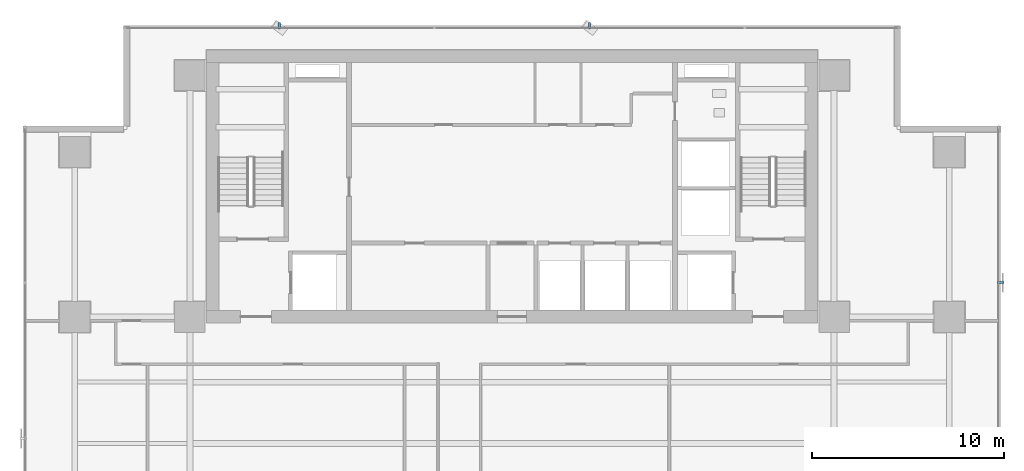
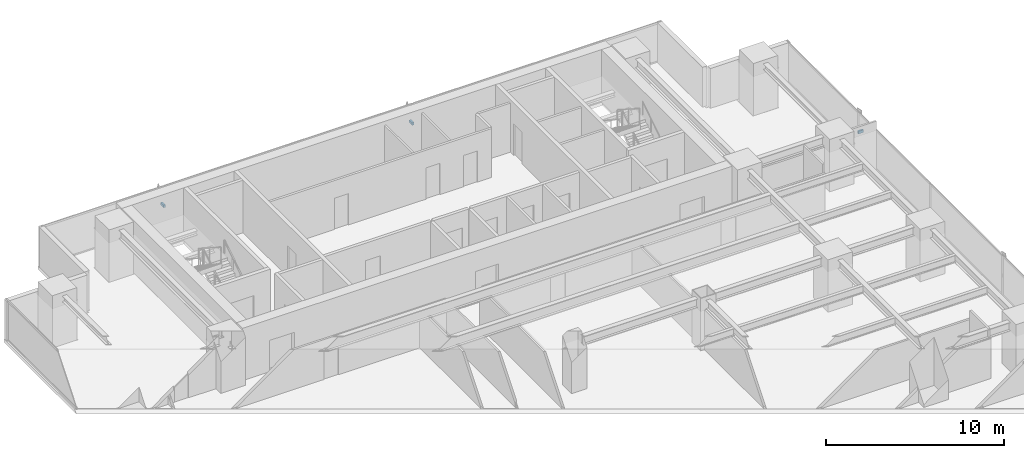
# One storey, part 32 of 37: 3 discrete accessories.
"""IFC4 building model written with IfcOpenShell, lengths in metres."""

import ifcopenshell
import ifcopenshell.guid

model = None  # the IFC model being written
_history = None  # IfcOwnerHistory: only IFC2X3 demands one
_inside = {}  # id of a spatial element -> (the spatial element, [elements in it])
_under = {}  # id of a project, library or spatial element -> (it, [spatial elements below it])
_declared = {}  # id of a project -> (the project, [libraries it declares])
_typed = {}  # id of a type object -> (the type object, [elements of that type])
_made_of = {}  # id of a material, layer set ... -> (it, [elements and type objects made of it])


def new_model(schema):
    """Start an empty IFC model of exactly this schema.

    Asked for "IFC4X3", IfcOpenShell would pick the latest addendum, in which some entities
    have other attributes; the version numbers below select the first issue.
    IFC2X3 requires an IfcOwnerHistory on every rooted entity: one is made here for all.
    """
    global model, _history
    if schema == "IFC4X3":
        model = ifcopenshell.file(schema_version=(4, 3, 0, 0))
    else:
        model = ifcopenshell.file(schema=schema)
    _inside.clear()
    _under.clear()
    _declared.clear()
    _typed.clear()
    _made_of.clear()
    _history = None
    if model.schema == "IFC2X3":
        org = make("IfcOrganization", Name="unknown")
        user = make(
            "IfcPersonAndOrganization",
            ThePerson=make("IfcPerson", FamilyName="unknown"),
            TheOrganization=org,
        )
        app = make(
            "IfcApplication",
            ApplicationDeveloper=org,
            Version="unknown",
            ApplicationFullName="unknown",
            ApplicationIdentifier="unknown",
        )
        _history = make(
            "IfcOwnerHistory",
            OwningUser=user,
            OwningApplication=app,
            ChangeAction="ADDED",
            CreationDate=0,
        )
    return model


def make(cls, **values):
    """One entity of the class cls with the attributes given. An attribute that is None is left unset."""
    return model.create_entity(
        cls, **{name: value for name, value in values.items() if value is not None}
    )


def rooted(cls, **values):
    """An entity with a GlobalId (a new one), such as an element, a storey or a relation."""
    return make(cls, GlobalId=ifcopenshell.guid.new(), OwnerHistory=_history, **values)


def si_unit(unit_type, name, prefix=None):
    """IfcSIUnit, for example si_unit("LENGTHUNIT", "METRE", prefix="MILLI")."""
    return make("IfcSIUnit", UnitType=unit_type, Prefix=prefix, Name=name)


def assignment(units):
    """IfcUnitAssignment: the units of a project."""
    return None if units is None else make("IfcUnitAssignment", Units=units)


def point(xyz):
    """IfcCartesianPoint."""
    return None if xyz is None else make("IfcCartesianPoint", Coordinates=xyz)


def direction(xyz):
    """IfcDirection."""
    return None if xyz is None else make("IfcDirection", DirectionRatios=xyz)


def frame(location, z_axis=None, x_axis=None):
    """IfcAxis2Placement3D, a coordinate frame: its origin and axes. An axis left out is left unset."""
    return make(
        "IfcAxis2Placement3D",
        Location=point(location),
        Axis=direction(z_axis),
        RefDirection=direction(x_axis),
    )


def frame_2d(location, x_axis=None):
    """IfcAxis2Placement2D, a coordinate frame in the plane: its origin and x axis."""
    return make(
        "IfcAxis2Placement2D", Location=point(location), RefDirection=direction(x_axis)
    )


def origin():
    """The frame at (0, 0, 0) with its axes left unset."""
    return frame((0.0, 0.0, 0.0))


def origin_2d():
    """The frame at (0, 0) in the plane with its x axis left unset."""
    return frame_2d((0.0, 0.0))


def place(relative_to, where):
    """IfcLocalPlacement: puts the frame where relative to a parent placement (None: the world)."""
    return make(
        "IfcLocalPlacement", PlacementRelTo=relative_to, RelativePlacement=where
    )


def context(
    kind, dimensions, precision=None, world=None, true_north=None, identifier=None
):
    """IfcGeometricRepresentationContext, for example the 3D "Model" context."""
    return make(
        "IfcGeometricRepresentationContext",
        ContextIdentifier=identifier,
        ContextType=kind,
        CoordinateSpaceDimension=dimensions,
        Precision=precision,
        WorldCoordinateSystem=world,
        TrueNorth=true_north,
    )


def subcontext(parent, identifier, kind, view, scale=None):
    """IfcGeometricRepresentationSubContext, for example "Body" below "Model"."""
    return make(
        "IfcGeometricRepresentationSubContext",
        ContextIdentifier=identifier,
        ContextType=kind,
        ParentContext=parent,
        TargetScale=scale,
        TargetView=view,
    )


def project(units=None, contexts=None):
    """IfcProject with its units and contexts."""
    return rooted(
        "IfcProject",
        Name="project",
        RepresentationContexts=contexts,
        UnitsInContext=assignment(units),
    )


def spatial(cls, under=None, at=None, **own):
    """A site, building, storey or space (cls), placed at a placement, below another one or the project."""
    s = rooted(cls, ObjectPlacement=at, **own)
    if under is not None:
        _under.setdefault(under.id(), (under, []))[1].append(s)
    return s


def profile(cls, at=None, kind="AREA", **sizes):
    """A parametric profile (cls). Its sizes go by their IFC names, for example OverallWidth=200.0."""
    return make(cls, ProfileType=kind, Position=at, **sizes)


def rectangle(**sizes):
    """IfcRectangleProfileDef."""
    return profile("IfcRectangleProfileDef", **sizes)


def extrude(swept, where, along, depth):
    """IfcExtrudedAreaSolid: the profile swept, set in the frame where, extruded along a direction by depth."""
    return make(
        "IfcExtrudedAreaSolid",
        SweptArea=swept,
        Position=where,
        ExtrudedDirection=direction(along),
        Depth=depth,
    )


def shape(context_of_items, identifier, shape_type, items):
    """IfcShapeRepresentation: the items that make up one representation, for example the "Body"."""
    return make(
        "IfcShapeRepresentation",
        ContextOfItems=context_of_items,
        RepresentationIdentifier=identifier,
        RepresentationType=shape_type,
        Items=items,
    )


def source(mapping_origin, context_of_items, identifier, shape_type, items):
    """IfcRepresentationMap: a shape defined once, which mapped items show again and again."""
    return make(
        "IfcRepresentationMap",
        MappingOrigin=mapping_origin,
        MappedRepresentation=shape(context_of_items, identifier, shape_type, items),
    )


def transform(
    local_origin,
    x_axis=None,
    y_axis=None,
    z_axis=None,
    scale=None,
    scale2=None,
    scale3=None,
    uniform=True,
):
    """IfcCartesianTransformationOperator3D, or its non-uniform kind. x_axis, y_axis, z_axis: its Axis1, 2, 3."""
    if uniform:
        return make(
            "IfcCartesianTransformationOperator3D",
            Axis1=direction(x_axis),
            Axis2=direction(y_axis),
            LocalOrigin=point(local_origin),
            Scale=scale,
            Axis3=direction(z_axis),
        )
    return make(
        "IfcCartesianTransformationOperator3DnonUniform",
        Axis1=direction(x_axis),
        Axis2=direction(y_axis),
        LocalOrigin=point(local_origin),
        Scale=scale,
        Axis3=direction(z_axis),
        Scale2=scale2,
        Scale3=scale3,
    )


def mapped(mapping_source, mapping_target):
    """IfcMappedItem: shows the shape of a source again, moved by a transform."""
    return make(
        "IfcMappedItem", MappingSource=mapping_source, MappingTarget=mapping_target
    )


def material(Name=None, Category=None):
    """IfcMaterial."""
    return make("IfcMaterial", Name=Name, Category=Category)


def material_profile(
    of_material, cross_section, Name=None, Category=None, Priority=None
):
    """IfcMaterialProfile: a cross section and its material."""
    return make(
        "IfcMaterialProfile",
        Name=Name,
        Material=of_material,
        Profile=cross_section,
        Priority=Priority,
        Category=Category,
    )


def profile_set(profiles, Name=None, composite=None):
    """IfcMaterialProfileSet."""
    return make(
        "IfcMaterialProfileSet",
        Name=Name,
        MaterialProfiles=profiles,
        CompositeProfile=composite,
    )


def made_of(thing, what):
    """Note that an element or type object is made of a material, layer set ...; save() writes the relation."""
    if what is not None:
        _made_of.setdefault(what.id(), (what, []))[1].append(thing)
    return thing


def type_object(cls, material=None, **own):
    """A type object (cls), such as IfcWallType, which elements share."""
    return made_of(rooted(cls, **own), material)


def element(
    cls,
    number,
    at=None,
    inside=None,
    cuts=None,
    type_object=None,
    material=None,
    context=None,
    identifier="Body",
    shape_type=None,
    held_by="IfcProductDefinitionShape",
    body=None,
    shapes=None,
    **own,
):
    """One element of the class cls, such as IfcWall. Its Tag is "e" and its number.

    at: its placement. inside: the storey or other place that contains it. cuts: it is an
    opening in that element (IfcRelVoidsElement). A single representation is given by context,
    identifier, shape_type and body (its items); several are given by shapes. held_by: the class
    of the entity that holds the representations. save() writes the other relations.
    """
    e = rooted(cls, Tag="e%d" % number, ObjectPlacement=at, **own)
    if body is not None:
        shapes = [shape(context, identifier, shape_type, body)]
    if shapes is not None:
        e.Representation = make(held_by, Representations=shapes)
    if inside is not None:
        _inside.setdefault(inside.id(), (inside, []))[1].append(e)
    if cuts is not None:
        rooted(
            "IfcRelVoidsElement", RelatingBuildingElement=cuts, RelatedOpeningElement=e
        )
    if type_object is not None:
        _typed.setdefault(type_object.id(), (type_object, []))[1].append(e)
    return made_of(e, material)


def aggregate(whole, parts):
    """IfcRelAggregates: a whole, such as a stair, and the parts it consists of."""
    return rooted("IfcRelAggregates", RelatingObject=whole, RelatedObjects=parts)


def save(model, path):
    """Write the relations noted so far, then the file.

    IfcRelAggregates (storeys below a building ...), IfcRelContainedInSpatialStructure (elements
    in a storey), IfcRelDefinesByType, IfcRelAssociatesMaterial and IfcRelDeclares: one each for
    every whole, place, type object, material and project.
    """
    for whole, parts in _under.values():
        aggregate(whole, parts)
    for where, things in _inside.values():
        rooted(
            "IfcRelContainedInSpatialStructure",
            RelatedElements=things,
            RelatingStructure=where,
        )
    for kind, things in _typed.values():
        rooted("IfcRelDefinesByType", RelatedObjects=things, RelatingType=kind)
    for what, things in _made_of.values():
        rooted("IfcRelAssociatesMaterial", RelatedObjects=things, RelatingMaterial=what)
    for by, libraries in _declared.values():
        rooted("IfcRelDeclares", RelatingContext=by, RelatedDefinitions=libraries)
    model.write(path)


model = new_model("IFC4")

# Units and contexts
model_context = context("Model", 3, precision=1e-05, world=origin(), true_north=direction((0.0, 1.0)))
body_context = subcontext(model_context, "Body", "Model", "MODEL_VIEW")
ifc_project = project(units=[si_unit("LENGTHUNIT", "METRE"), si_unit("AREAUNIT", "SQUARE_METRE"), si_unit("VOLUMEUNIT", "CUBIC_METRE"), si_unit("PLANEANGLEUNIT", "RADIAN"), si_unit("MASSUNIT", "GRAM", prefix="KILO")], contexts=[model_context])

# Site, building, storey
site_placement = place(None, origin())
site = spatial("IfcSite", under=ifc_project, at=site_placement, CompositionType="ELEMENT")
building_placement = place(site_placement, origin())
building = spatial("IfcBuilding", under=site, at=building_placement, Name="Sumidabori Civic Tower", CompositionType="ELEMENT")
storey_placement = place(building_placement, frame((0.0, 0.0, 88.39990234375)))
storey = spatial("IfcBuildingStorey", under=building, at=storey_placement, Name="L22", CompositionType="ELEMENT", Elevation=88.39990234375)

# Discrete accessories
ifc_material = material(Name="Stainless Steel Hairline Finish", Category="steel")
ifc_material_profile = material_profile(ifc_material, rectangle(XDim=0.1201171875, YDim=0.179931640625, at=origin_2d()), Name="STEEL BRACKET 180x120")
ifc_profile_set = profile_set([ifc_material_profile], Name="Stainless Steel Hairline Finish")
discrete_accessory_type = type_object("IfcDiscreteAccessoryType", Name="AC-BRK-180", PredefinedType="BRACKET", material=ifc_profile_set)
shared_shape_1 = source(origin(), body_context, "Body", "SweptSolid", [
    extrude(rectangle(XDim=0.1201171875, YDim=0.179931640625, at=origin_2d()), origin(), (0.0, 0.0, 1.0), 0.329833984375),
])
discrete_accessory_placement = place(storey_placement, frame((25.330078125, 11.991943359375, 1.360107421875), z_axis=(1.0, 0.0, 0.0), x_axis=(0.0, 1.0, 0.0)))
element("IfcDiscreteAccessory", 1, at=discrete_accessory_placement, inside=storey, type_object=discrete_accessory_type, Name="Bronze Fin Fixing Bracket L22-04", PredefinedType="BRACKET", context=body_context, shape_type="MappedRepresentation", body=[
    mapped(shared_shape_1, transform((0.0, 0.0, 0.0), x_axis=(1.0, 0.0, 0.0), y_axis=(0.0, 1.0, 0.0), z_axis=(0.0, 0.0, 1.0), scale=1.0)),
])
shared_shape_2 = source(origin(), body_context, "Body", "SweptSolid", [
    extrude(rectangle(XDim=0.1201171875, YDim=0.179931640625, at=origin_2d()), origin(), (0.0, 0.0, 1.0), 0.330078125),
])
for number, where, z_axis, x_axis, name in (
    (2, (4.0439453125, 25.22998046875, 1.360107421875), (0.0, 1.0, 0.0), (-1.0, 0.0, 0.0), "Bronze Fin Fixing Bracket L22-02"),
    (3, (-12.132080078125, 25.22998046875, 1.360107421875), (0.0, 1.0, 0.0), (-1.0, 0.0, 0.0), "Bronze Fin Fixing Bracket L22-04"),
):
    element("IfcDiscreteAccessory", number, at=place(storey_placement, frame(where, z_axis=z_axis, x_axis=x_axis)), inside=storey, type_object=discrete_accessory_type, Name=name, PredefinedType="BRACKET", context=body_context, shape_type="MappedRepresentation", body=[
        mapped(shared_shape_2, transform((0.0, 0.0, 0.0), x_axis=(1.0, 0.0, 0.0), y_axis=(0.0, 1.0, 0.0), z_axis=(0.0, 0.0, 1.0), scale=1.0)),
    ])

save(model, "model.ifc")
